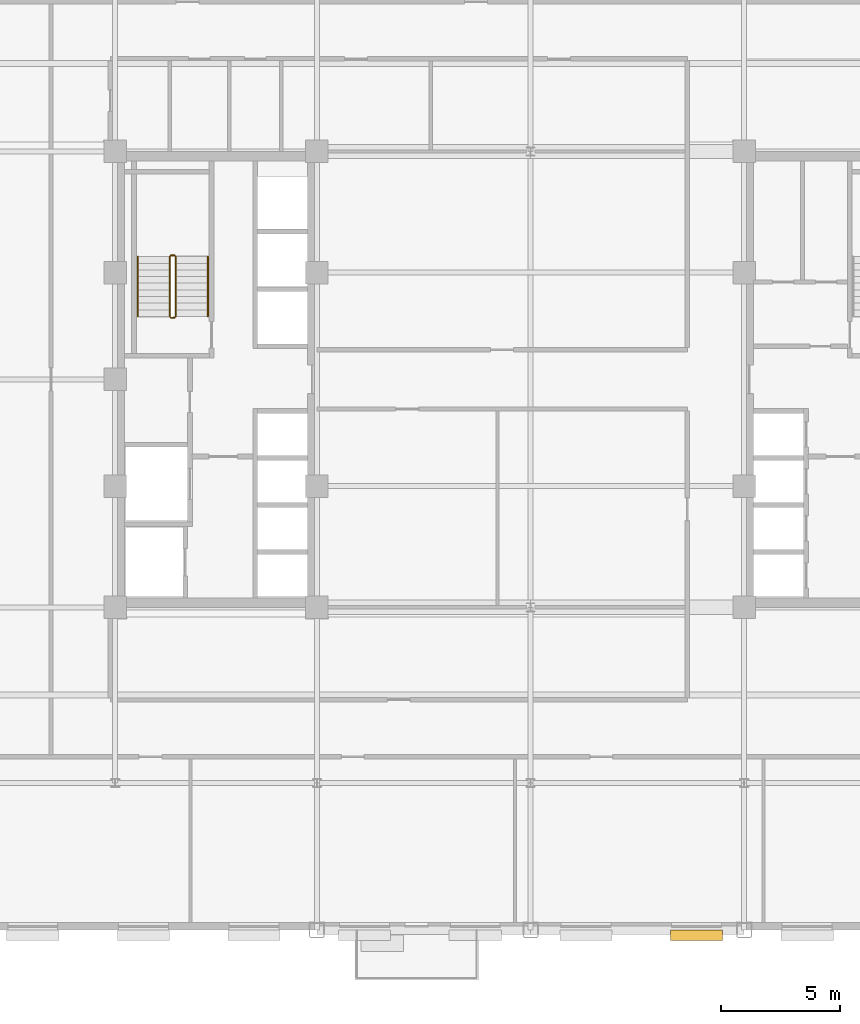
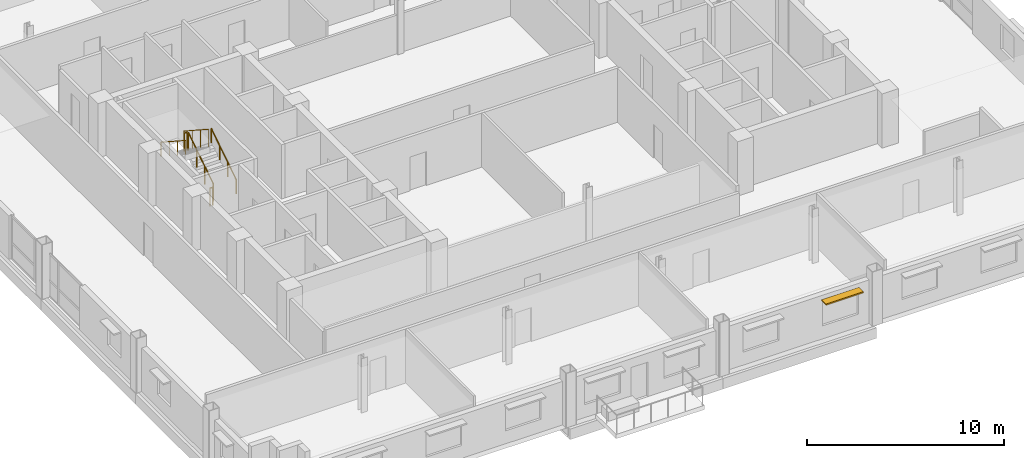
# One storey, part 13 of 15: 6 railings, 1 shading device.
"""IFC4 building model written with IfcOpenShell, lengths in metres."""

from ifc_helpers import new_model, si_unit, direction, frame, origin, origin_2d, place, context, subcontext, project, spatial, rectangle, circle, extrude, source, transform, mapped, material, type_object, type_shapes, element, save


model = new_model("IFC4")

# Units and contexts
model_context = context("Model", 3, precision=1e-05, world=origin(), true_north=direction((0.0, 1.0)))
body_context = subcontext(model_context, "Body", "Model", "MODEL_VIEW")
ifc_project = project(units=[si_unit("LENGTHUNIT", "METRE"), si_unit("AREAUNIT", "SQUARE_METRE"), si_unit("VOLUMEUNIT", "CUBIC_METRE"), si_unit("PLANEANGLEUNIT", "RADIAN"), si_unit("MASSUNIT", "GRAM", prefix="KILO")], contexts=[model_context])

# Site, building, storey
site_placement = place(None, origin())
site = spatial("IfcSite", under=ifc_project, at=site_placement, CompositionType="ELEMENT")
building_placement = place(site_placement, origin())
building = spatial("IfcBuilding", under=site, at=building_placement, Name="Nuvemarco Arch Tower", CompositionType="ELEMENT")
storey_placement = place(building_placement, frame((0.0, 0.0, 123.85009765625)))
storey = spatial("IfcBuildingStorey", under=building, at=storey_placement, Name="L32", CompositionType="ELEMENT", Elevation=123.85009765625)

# Railings
ifc_material_1 = material(Name="Brushed stainless steel handrail", Category="steel")
railing_type_1 = type_object("IfcRailingType", Name="RL-HANDRAIL-900", PredefinedType="HANDRAIL", material=ifc_material_1)
railing_1_placement = place(storey_placement, frame((-13.590087890625, 2.64990234375, 0.182373046875)))
element("IfcRailing", 1, at=railing_1_placement, inside=storey, type_object=railing_type_1, Name="L32 ST-1 stair handrail 1", PredefinedType="HANDRAIL", context=body_context, shape_type="SweptSolid", body=[
    extrude(circle(Radius=0.02392578125, at=origin_2d()), frame((0.0, 0.0, 0.8759765625), z_axis=(0.0, 0.837749427056, 0.546054848405), x_axis=(-1.0, 0.0, 0.0)), (0.0, 0.0, 1.0), 3.008056640625),
    extrude(circle(Radius=0.02099609375, at=origin_2d()), origin(), (0.0, 0.0, 1.0), 0.851806640625),
    extrude(circle(Radius=0.02099609375, at=origin_2d()), frame((0.0, 0.840087890625, 0.547607421875)), (0.0, 0.0, 1.0), 0.851806640625),
    extrude(circle(Radius=0.02099609375, at=origin_2d()), frame((0.0, 1.679931640625, 1.094970703125)), (0.0, 0.0, 1.0), 0.851806640625),
    extrude(circle(Radius=0.02099609375, at=origin_2d()), frame((0.0, 2.52001953125, 1.642578125)), (0.0, 0.0, 1.0), 0.851806640625),
])
railing_2_placement = place(storey_placement, frame((-16.550048828125, 5.169921875, 2.00732421875)))
element("IfcRailing", 2, at=railing_2_placement, inside=storey, type_object=railing_type_1, Name="L32 ST-1 stair handrail 2", PredefinedType="HANDRAIL", context=body_context, shape_type="SweptSolid", body=[
    extrude(circle(Radius=0.02392578125, at=origin_2d()), frame((0.0, 0.0, 0.8759765625), z_axis=(0.0, -0.837749427056, 0.546054848405), x_axis=(1.0, 0.0, 0.0)), (0.0, 0.0, 1.0), 3.008056640625),
    extrude(circle(Radius=0.02099609375, at=origin_2d()), origin(), (0.0, 0.0, 1.0), 0.851806640625),
    extrude(circle(Radius=0.02099609375, at=origin_2d()), frame((0.0, -0.840087890625, 0.547607421875)), (0.0, 0.0, 1.0), 0.851806640625),
    extrude(circle(Radius=0.02099609375, at=origin_2d()), frame((0.0, -1.679931640625, 1.094970703125)), (0.0, 0.0, 1.0), 0.851806640625),
    extrude(circle(Radius=0.02099609375, at=origin_2d()), frame((0.0, -2.52001953125, 1.642578125)), (0.0, 0.0, 1.0), 0.851806640625),
])
ifc_material_2 = material(Name="Painted balustrade steel S355", Category="steel")
railing_type_2 = type_object("IfcRailingType", Name="RL-STAIR-GUARD", PredefinedType="GUARDRAIL", material=ifc_material_2)
railing_3_placement = place(storey_placement, frame((-14.93994140625, 2.64990234375, 0.182373046875)))
element("IfcRailing", 3, at=railing_3_placement, inside=storey, type_object=railing_type_2, Name="L32 ST-1 stair guard 1", PredefinedType="GUARDRAIL", context=body_context, shape_type="SweptSolid", body=[
    extrude(circle(Radius=0.02392578125, at=origin_2d()), frame((0.0, 0.0, 1.09619140625), z_axis=(0.0, 0.837749427056, 0.546054848405), x_axis=(-1.0, 0.0, 0.0)), (0.0, 0.0, 1.0), 3.008056640625),
    extrude(circle(Radius=0.02099609375, at=origin_2d()), origin(), (0.0, 0.0, 1.0), 1.072021484375),
    extrude(circle(Radius=0.02099609375, at=origin_2d()), frame((0.0, 0.840087890625, 0.547607421875)), (0.0, 0.0, 1.0), 1.072021484375),
    extrude(circle(Radius=0.02099609375, at=origin_2d()), frame((0.0, 1.679931640625, 1.094970703125)), (0.0, 0.0, 1.0), 1.072021484375),
    extrude(circle(Radius=0.02099609375, at=origin_2d()), frame((0.0, 2.52001953125, 1.642578125)), (0.0, 0.0, 1.0), 1.072021484375),
])
railing_4_placement = place(storey_placement, frame((-14.989990234375, 5.219970703125, 1.824951171875)))
element("IfcRailing", 4, at=railing_4_placement, inside=storey, type_object=railing_type_2, Name="L32 ST-1 stair guard 2", PredefinedType="GUARDRAIL", context=body_context, shape_type="SweptSolid", body=[
    extrude(circle(Radius=0.02392578125, at=origin_2d()), frame((0.0, 0.0, 1.09619140625), z_axis=(-1.0, 0.0, 0.0), x_axis=(0.0, -1.0, 0.0)), (0.0, 0.0, 1.0), 0.159912109375),
    extrude(circle(Radius=0.02099609375, at=origin_2d()), origin(), (0.0, 0.0, 1.0), 1.072021484375),
    extrude(circle(Radius=0.02099609375, at=origin_2d()), frame((-0.159912109375, 0.0, 0.0)), (0.0, 0.0, 1.0), 1.072021484375),
])
railing_5_placement = place(storey_placement, frame((-15.199951171875, 5.169921875, 2.00732421875)))
element("IfcRailing", 5, at=railing_5_placement, inside=storey, type_object=railing_type_2, Name="L32 ST-1 stair guard 3", PredefinedType="GUARDRAIL", context=body_context, shape_type="SweptSolid", body=[
    extrude(circle(Radius=0.02392578125, at=origin_2d()), frame((0.0, 0.0, 1.09619140625), z_axis=(0.0, -0.837749427056, 0.546054848405), x_axis=(1.0, 0.0, 0.0)), (0.0, 0.0, 1.0), 3.008056640625),
    extrude(circle(Radius=0.02099609375, at=origin_2d()), origin(), (0.0, 0.0, 1.0), 1.072021484375),
    extrude(circle(Radius=0.02099609375, at=origin_2d()), frame((0.0, -0.840087890625, 0.547607421875)), (0.0, 0.0, 1.0), 1.072021484375),
    extrude(circle(Radius=0.02099609375, at=origin_2d()), frame((0.0, -1.679931640625, 1.094970703125)), (0.0, 0.0, 1.0), 1.072021484375),
    extrude(circle(Radius=0.02099609375, at=origin_2d()), frame((0.0, -2.52001953125, 1.642578125)), (0.0, 0.0, 1.0), 1.072021484375),
])
railing_6_placement = place(storey_placement, frame((-14.989990234375, 2.60009765625, 0.0)))
element("IfcRailing", 6, at=railing_6_placement, inside=storey, type_object=railing_type_2, Name="L32 ST-1 stair guard 4", PredefinedType="GUARDRAIL", context=body_context, shape_type="SweptSolid", body=[
    extrude(circle(Radius=0.02392578125, at=origin_2d()), frame((0.0, 0.0, 1.09619140625), z_axis=(-1.0, 0.0, 0.0), x_axis=(0.0, -1.0, 0.0)), (0.0, 0.0, 1.0), 0.159912109375),
    extrude(circle(Radius=0.02099609375, at=origin_2d()), origin(), (0.0, 0.0, 1.0), 1.072021484375),
    extrude(circle(Radius=0.02099609375, at=origin_2d()), frame((-0.159912109375, 0.0, 0.0)), (0.0, 0.0, 1.0), 1.072021484375),
])

# Shading device
ifc_material_3 = material(Name="Anodised aluminium 6063-T6", Category="aluminium")
shading_device_type = type_object("IfcShadingDeviceType", Name="SHD-BRISE-SOLEIL", PredefinedType="USERDEFINED", material=ifc_material_3)
shared_shape = source(origin(), body_context, "Body", "SweptSolid", [
    extrude(rectangle(XDim=2.199951171875, YDim=0.449951171875, at=origin_2d()), origin(), (0.0, 0.0, 1.0), 0.080078125),
])
type_shapes(shading_device_type, [shared_shape])
shading_device_placement = place(storey_placement, frame((6.989990234375, -23.4150390625, 2.36474609375), z_axis=(0.0, 0.0, 1.0), x_axis=(1.0, 0.0, 0.0)))
element("IfcShadingDevice", 7, at=shading_device_placement, inside=storey, type_object=shading_device_type, Name="L32 horizontal brise-soleil sunshade", ObjectType="SUNSHADE", PredefinedType="USERDEFINED", context=body_context, shape_type="MappedRepresentation", body=[
    mapped(shared_shape, transform((0.0, 0.0, 0.0), scale=1.0)),
])

save(model, "model.ifc")
